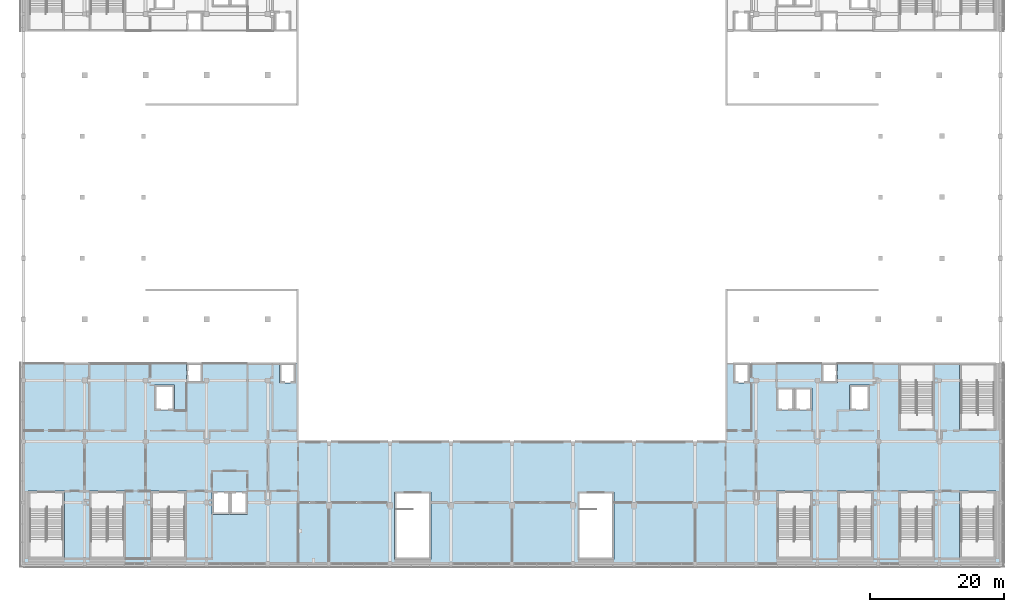
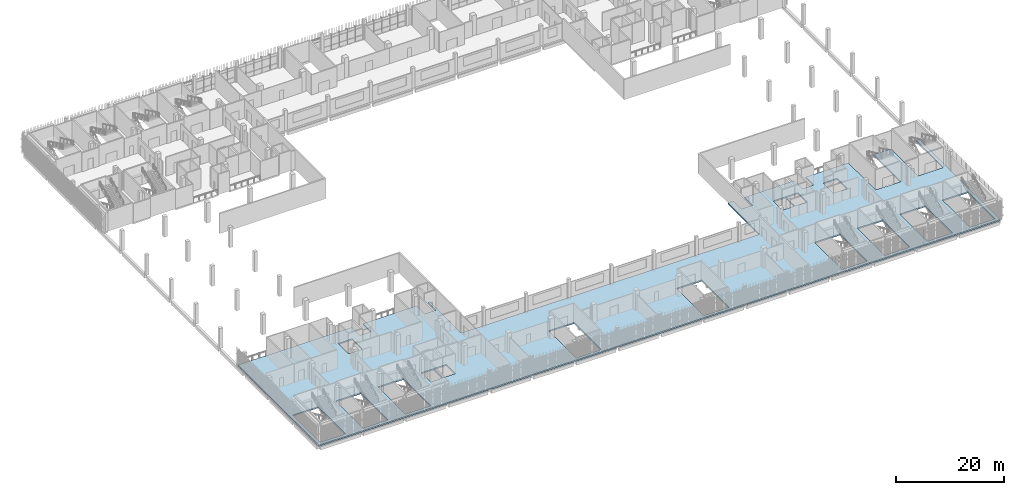
# One storey, part 45 of 104: 1 slab.
"""IFC4 building model written with IfcOpenShell, lengths in metres."""

from ifc_helpers import new_model, si_unit, direction, frame, origin, place, context, subcontext, project, spatial, polyline, outline, extrude, material, layer, layer_set, type_object, element, save


model = new_model("IFC4")

# Units and contexts
model_context = context("Model", 3, precision=1e-05, world=origin(), true_north=direction((0.0, 1.0)))
body_context = subcontext(model_context, "Body", "Model", "MODEL_VIEW")
ifc_project = project(units=[si_unit("LENGTHUNIT", "METRE"), si_unit("AREAUNIT", "SQUARE_METRE"), si_unit("VOLUMEUNIT", "CUBIC_METRE"), si_unit("PLANEANGLEUNIT", "RADIAN"), si_unit("MASSUNIT", "GRAM", prefix="KILO")], contexts=[model_context])

# Site, building, storey
site_placement = place(None, origin())
site = spatial("IfcSite", under=ifc_project, at=site_placement, CompositionType="ELEMENT")
building_placement = place(site_placement, origin())
building = spatial("IfcBuilding", under=site, at=building_placement, Name="Shirokan Park Arena", CompositionType="ELEMENT")
storey_placement = place(building_placement, frame((0.0, 0.0, 10.919921875)))
storey = spatial("IfcBuildingStorey", under=building, at=storey_placement, Name="L02", CompositionType="ELEMENT", Elevation=10.919921875)

# Slab
ifc_material = material(Name="Concrete C35", Category="concrete")
ifc_layer = layer(ifc_material, 0.300048828125)
ifc_layer_set = layer_set([ifc_layer], Name="Concrete C35 300 mm")
slab_type = type_object("IfcSlabType", Name="RC floor slab 300", PredefinedType="FLOOR", material=ifc_layer_set)
slab_placement = place(storey_placement, frame((0.0, 0.0, -0.2998046875)))
element("IfcSlab", 1, at=slab_placement, inside=storey, type_object=slab_type, Name="Floor slab L02", PredefinedType="FLOOR", context=body_context, shape_type="SweptSolid", body=[
    extrude(outline(polyline([(40.949951171875, 18.199951171875), (104.64990234375, 18.199951171875), (104.64990234375, 29.89990234375), (105.800048828125, 29.89990234375), (105.800048828125, 26.89990234375), (108.199951171875, 26.89990234375), (108.199951171875, 29.89990234375), (118.89990234375, 29.89990234375), (118.89990234375, 26.89990234375), (121.300048828125, 26.89990234375), (121.300048828125, 29.89990234375), (130.39990234375, 29.89990234375), (130.39990234375, 19.800048828125), (135.800048828125, 19.800048828125), (135.800048828125, 29.89990234375), (139.5, 29.89990234375), (139.5, 19.800048828125), (144.89990234375, 19.800048828125), (144.89990234375, 29.89990234375), (145.60009765625, 29.89990234375), (145.60009765625, 0.0), (0.0, 0.0), (0.0, 29.89990234375), (24.300048828125, 29.89990234375), (24.300048828125, 26.89990234375), (26.699951171875, 26.89990234375), (26.699951171875, 29.89990234375), (38.14990234375, 29.89990234375), (38.14990234375, 26.89990234375), (40.550048828125, 26.89990234375), (40.550048828125, 29.89990234375), (40.949951171875, 29.89990234375), (40.949951171875, 18.199951171875)]), holes=[polyline([(6.10009765625, 0.699951171875), (6.10009765625, 10.800048828125), (0.699951171875, 10.800048828125), (0.699951171875, 0.699951171875), (6.10009765625, 0.699951171875)]), polyline([(15.199951171875, 0.699951171875), (15.199951171875, 10.800048828125), (9.800048828125, 10.800048828125), (9.800048828125, 0.699951171875), (15.199951171875, 0.699951171875)]), polyline([(24.300048828125, 0.699951171875), (24.300048828125, 10.800048828125), (18.89990234375, 10.800048828125), (18.89990234375, 0.699951171875), (24.300048828125, 0.699951171875)]), polyline([(28.10009765625, 7.35009765625), (30.699951171875, 7.35009765625), (30.699951171875, 10.75), (28.10009765625, 10.75), (28.10009765625, 7.35009765625)]), polyline([(19.5, 22.800048828125), (22.5, 22.800048828125), (22.5, 26.60009765625), (19.5, 26.60009765625), (19.5, 22.800048828125)]), polyline([(55.300048828125, 0.60009765625), (60.699951171875, 0.60009765625), (60.699951171875, 10.699951171875), (55.300048828125, 10.699951171875), (55.300048828125, 0.60009765625)]), polyline([(88.0, 0.60009765625), (88.0, 10.699951171875), (82.60009765625, 10.699951171875), (82.60009765625, 0.60009765625), (88.0, 0.60009765625)]), polyline([(112.199951171875, 0.699951171875), (117.60009765625, 0.699951171875), (117.60009765625, 10.800048828125), (112.199951171875, 10.800048828125), (112.199951171875, 0.699951171875)]), polyline([(30.800048828125, 7.35009765625), (33.39990234375, 7.35009765625), (33.39990234375, 10.75), (30.800048828125, 10.75), (30.800048828125, 7.35009765625)]), polyline([(114.800048828125, 22.800048828125), (114.800048828125, 26.199951171875), (112.199951171875, 26.199951171875), (112.199951171875, 22.800048828125), (114.800048828125, 22.800048828125)]), polyline([(114.89990234375, 22.800048828125), (117.5, 22.800048828125), (117.5, 26.199951171875), (114.89990234375, 26.199951171875), (114.89990234375, 22.800048828125)]), polyline([(126.699951171875, 0.699951171875), (126.699951171875, 10.800048828125), (121.300048828125, 10.800048828125), (121.300048828125, 0.699951171875), (126.699951171875, 0.699951171875)]), polyline([(130.39990234375, 0.699951171875), (135.800048828125, 0.699951171875), (135.800048828125, 10.800048828125), (130.39990234375, 10.800048828125), (130.39990234375, 0.699951171875)]), polyline([(139.5, 0.699951171875), (144.89990234375, 0.699951171875), (144.89990234375, 10.800048828125), (139.5, 10.800048828125), (139.5, 0.699951171875)]), polyline([(126.10009765625, 22.800048828125), (126.10009765625, 26.60009765625), (123.10009765625, 26.60009765625), (123.10009765625, 22.800048828125), (126.10009765625, 22.800048828125)])]), origin(), (0.0, 0.0, 1.0), 0.2998046875),
])

save(model, "model.ifc")
